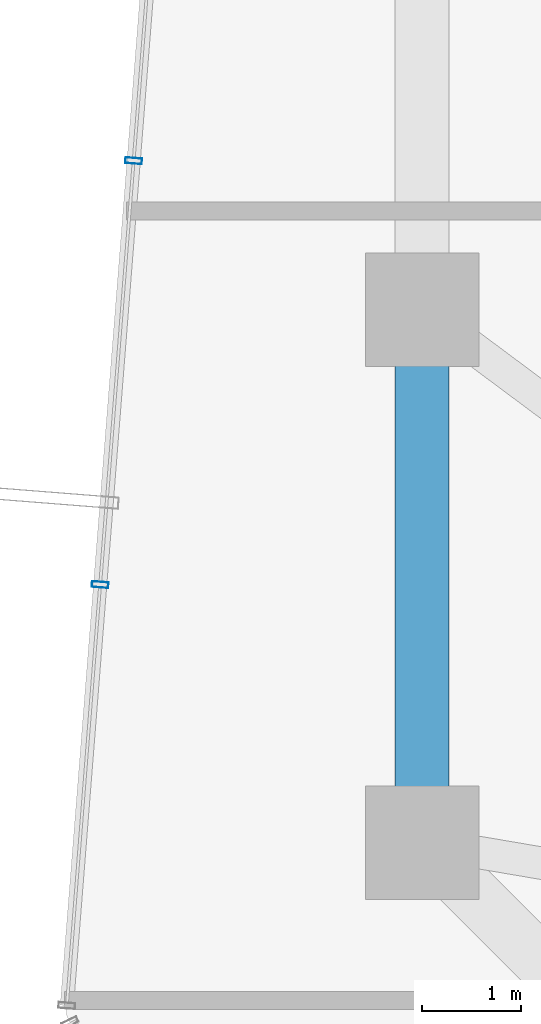
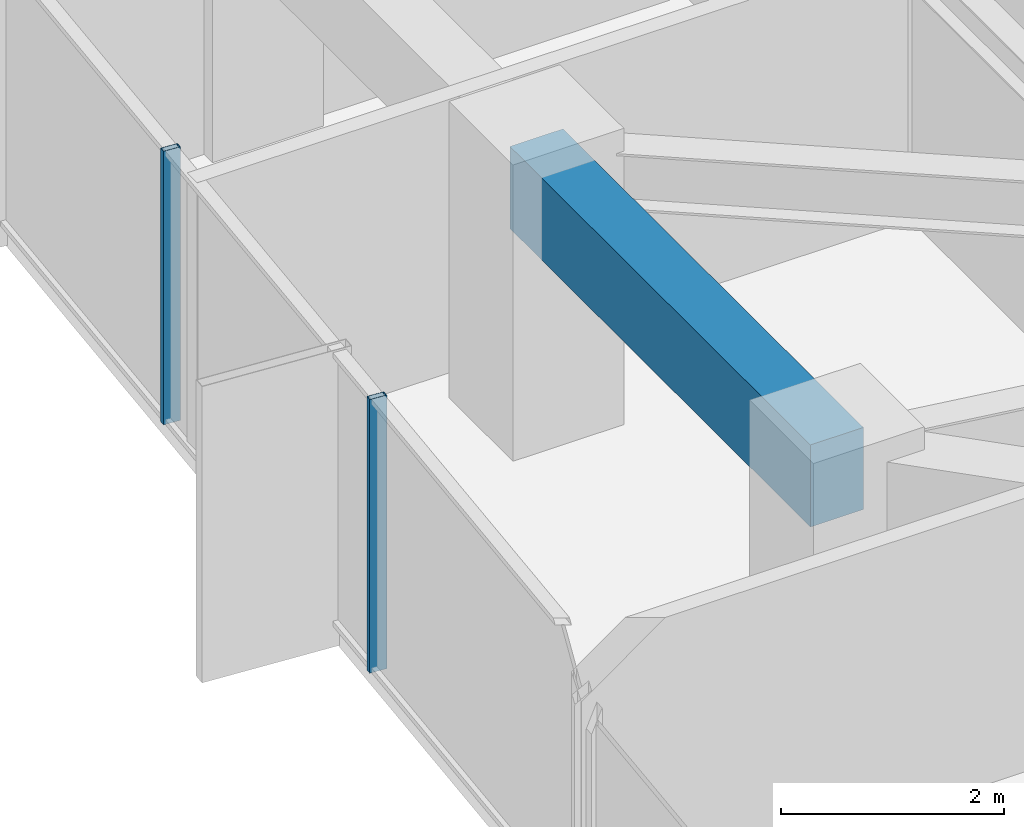
# One storey, part 8 of 30: 2 members, 1 beam, 1 element without a shape of its own.
"""IFC4 building model written with IfcOpenShell, lengths in metres."""

import ifcopenshell
import ifcopenshell.guid

model = None  # the IFC model being written
_history = None  # IfcOwnerHistory: only IFC2X3 demands one
_inside = {}  # id of a spatial element -> (the spatial element, [elements in it])
_under = {}  # id of a project, library or spatial element -> (it, [spatial elements below it])
_declared = {}  # id of a project -> (the project, [libraries it declares])
_typed = {}  # id of a type object -> (the type object, [elements of that type])
_made_of = {}  # id of a material, layer set ... -> (it, [elements and type objects made of it])


def new_model(schema):
    """Start an empty IFC model of exactly this schema.

    Asked for "IFC4X3", IfcOpenShell would pick the latest addendum, in which some entities
    have other attributes; the version numbers below select the first issue.
    IFC2X3 requires an IfcOwnerHistory on every rooted entity: one is made here for all.
    """
    global model, _history
    if schema == "IFC4X3":
        model = ifcopenshell.file(schema_version=(4, 3, 0, 0))
    else:
        model = ifcopenshell.file(schema=schema)
    _inside.clear()
    _under.clear()
    _declared.clear()
    _typed.clear()
    _made_of.clear()
    _history = None
    if model.schema == "IFC2X3":
        org = make("IfcOrganization", Name="unknown")
        user = make(
            "IfcPersonAndOrganization",
            ThePerson=make("IfcPerson", FamilyName="unknown"),
            TheOrganization=org,
        )
        app = make(
            "IfcApplication",
            ApplicationDeveloper=org,
            Version="unknown",
            ApplicationFullName="unknown",
            ApplicationIdentifier="unknown",
        )
        _history = make(
            "IfcOwnerHistory",
            OwningUser=user,
            OwningApplication=app,
            ChangeAction="ADDED",
            CreationDate=0,
        )
    return model


def make(cls, **values):
    """One entity of the class cls with the attributes given. An attribute that is None is left unset."""
    return model.create_entity(
        cls, **{name: value for name, value in values.items() if value is not None}
    )


def rooted(cls, **values):
    """An entity with a GlobalId (a new one), such as an element, a storey or a relation."""
    return make(cls, GlobalId=ifcopenshell.guid.new(), OwnerHistory=_history, **values)


def si_unit(unit_type, name, prefix=None):
    """IfcSIUnit, for example si_unit("LENGTHUNIT", "METRE", prefix="MILLI")."""
    return make("IfcSIUnit", UnitType=unit_type, Prefix=prefix, Name=name)


def assignment(units):
    """IfcUnitAssignment: the units of a project."""
    return None if units is None else make("IfcUnitAssignment", Units=units)


def point(xyz):
    """IfcCartesianPoint."""
    return None if xyz is None else make("IfcCartesianPoint", Coordinates=xyz)


def direction(xyz):
    """IfcDirection."""
    return None if xyz is None else make("IfcDirection", DirectionRatios=xyz)


def frame(location, z_axis=None, x_axis=None):
    """IfcAxis2Placement3D, a coordinate frame: its origin and axes. An axis left out is left unset."""
    return make(
        "IfcAxis2Placement3D",
        Location=point(location),
        Axis=direction(z_axis),
        RefDirection=direction(x_axis),
    )


def frame_2d(location, x_axis=None):
    """IfcAxis2Placement2D, a coordinate frame in the plane: its origin and x axis."""
    return make(
        "IfcAxis2Placement2D", Location=point(location), RefDirection=direction(x_axis)
    )


def origin():
    """The frame at (0, 0, 0) with its axes left unset."""
    return frame((0.0, 0.0, 0.0))


def origin_2d():
    """The frame at (0, 0) in the plane with its x axis left unset."""
    return frame_2d((0.0, 0.0))


def place(relative_to, where):
    """IfcLocalPlacement: puts the frame where relative to a parent placement (None: the world)."""
    return make(
        "IfcLocalPlacement", PlacementRelTo=relative_to, RelativePlacement=where
    )


def context(
    kind, dimensions, precision=None, world=None, true_north=None, identifier=None
):
    """IfcGeometricRepresentationContext, for example the 3D "Model" context."""
    return make(
        "IfcGeometricRepresentationContext",
        ContextIdentifier=identifier,
        ContextType=kind,
        CoordinateSpaceDimension=dimensions,
        Precision=precision,
        WorldCoordinateSystem=world,
        TrueNorth=true_north,
    )


def subcontext(parent, identifier, kind, view, scale=None):
    """IfcGeometricRepresentationSubContext, for example "Body" below "Model"."""
    return make(
        "IfcGeometricRepresentationSubContext",
        ContextIdentifier=identifier,
        ContextType=kind,
        ParentContext=parent,
        TargetScale=scale,
        TargetView=view,
    )


def project(units=None, contexts=None):
    """IfcProject with its units and contexts."""
    return rooted(
        "IfcProject",
        Name="project",
        RepresentationContexts=contexts,
        UnitsInContext=assignment(units),
    )


def spatial(cls, under=None, at=None, **own):
    """A site, building, storey or space (cls), placed at a placement, below another one or the project."""
    s = rooted(cls, ObjectPlacement=at, **own)
    if under is not None:
        _under.setdefault(under.id(), (under, []))[1].append(s)
    return s


def profile(cls, at=None, kind="AREA", **sizes):
    """A parametric profile (cls). Its sizes go by their IFC names, for example OverallWidth=200.0."""
    return make(cls, ProfileType=kind, Position=at, **sizes)


def rectangle(**sizes):
    """IfcRectangleProfileDef."""
    return profile("IfcRectangleProfileDef", **sizes)


def hollow_rectangle(**sizes):
    """IfcRectangleHollowProfileDef."""
    return profile("IfcRectangleHollowProfileDef", **sizes)


def extrude(swept, where, along, depth):
    """IfcExtrudedAreaSolid: the profile swept, set in the frame where, extruded along a direction by depth."""
    return make(
        "IfcExtrudedAreaSolid",
        SweptArea=swept,
        Position=where,
        ExtrudedDirection=direction(along),
        Depth=depth,
    )


def shape(context_of_items, identifier, shape_type, items):
    """IfcShapeRepresentation: the items that make up one representation, for example the "Body"."""
    return make(
        "IfcShapeRepresentation",
        ContextOfItems=context_of_items,
        RepresentationIdentifier=identifier,
        RepresentationType=shape_type,
        Items=items,
    )


def source(mapping_origin, context_of_items, identifier, shape_type, items):
    """IfcRepresentationMap: a shape defined once, which mapped items show again and again."""
    return make(
        "IfcRepresentationMap",
        MappingOrigin=mapping_origin,
        MappedRepresentation=shape(context_of_items, identifier, shape_type, items),
    )


def transform(
    local_origin,
    x_axis=None,
    y_axis=None,
    z_axis=None,
    scale=None,
    scale2=None,
    scale3=None,
    uniform=True,
):
    """IfcCartesianTransformationOperator3D, or its non-uniform kind. x_axis, y_axis, z_axis: its Axis1, 2, 3."""
    if uniform:
        return make(
            "IfcCartesianTransformationOperator3D",
            Axis1=direction(x_axis),
            Axis2=direction(y_axis),
            LocalOrigin=point(local_origin),
            Scale=scale,
            Axis3=direction(z_axis),
        )
    return make(
        "IfcCartesianTransformationOperator3DnonUniform",
        Axis1=direction(x_axis),
        Axis2=direction(y_axis),
        LocalOrigin=point(local_origin),
        Scale=scale,
        Axis3=direction(z_axis),
        Scale2=scale2,
        Scale3=scale3,
    )


def mapped(mapping_source, mapping_target):
    """IfcMappedItem: shows the shape of a source again, moved by a transform."""
    return make(
        "IfcMappedItem", MappingSource=mapping_source, MappingTarget=mapping_target
    )


def material(Name=None, Category=None):
    """IfcMaterial."""
    return make("IfcMaterial", Name=Name, Category=Category)


def layer(
    of_material, thickness, ventilated=None, Name=None, Category=None, Priority=None
):
    """IfcMaterialLayer: one layer of a wall or slab, of a material (None: an air gap)."""
    return make(
        "IfcMaterialLayer",
        Material=of_material,
        LayerThickness=thickness,
        IsVentilated=ventilated,
        Name=Name,
        Category=Category,
        Priority=Priority,
    )


def layer_set(layers, Name=None):
    """IfcMaterialLayerSet."""
    return make("IfcMaterialLayerSet", MaterialLayers=layers, LayerSetName=Name)


def material_profile(
    of_material, cross_section, Name=None, Category=None, Priority=None
):
    """IfcMaterialProfile: a cross section and its material."""
    return make(
        "IfcMaterialProfile",
        Name=Name,
        Material=of_material,
        Profile=cross_section,
        Priority=Priority,
        Category=Category,
    )


def profile_set(profiles, Name=None, composite=None):
    """IfcMaterialProfileSet."""
    return make(
        "IfcMaterialProfileSet",
        Name=Name,
        MaterialProfiles=profiles,
        CompositeProfile=composite,
    )


def made_of(thing, what):
    """Note that an element or type object is made of a material, layer set ...; save() writes the relation."""
    if what is not None:
        _made_of.setdefault(what.id(), (what, []))[1].append(thing)
    return thing


def type_object(cls, material=None, **own):
    """A type object (cls), such as IfcWallType, which elements share."""
    return made_of(rooted(cls, **own), material)


def element(
    cls,
    number,
    at=None,
    inside=None,
    cuts=None,
    type_object=None,
    material=None,
    context=None,
    identifier="Body",
    shape_type=None,
    held_by="IfcProductDefinitionShape",
    body=None,
    shapes=None,
    **own,
):
    """One element of the class cls, such as IfcWall. Its Tag is "e" and its number.

    at: its placement. inside: the storey or other place that contains it. cuts: it is an
    opening in that element (IfcRelVoidsElement). A single representation is given by context,
    identifier, shape_type and body (its items); several are given by shapes. held_by: the class
    of the entity that holds the representations. save() writes the other relations.
    """
    e = rooted(cls, Tag="e%d" % number, ObjectPlacement=at, **own)
    if body is not None:
        shapes = [shape(context, identifier, shape_type, body)]
    if shapes is not None:
        e.Representation = make(held_by, Representations=shapes)
    if inside is not None:
        _inside.setdefault(inside.id(), (inside, []))[1].append(e)
    if cuts is not None:
        rooted(
            "IfcRelVoidsElement", RelatingBuildingElement=cuts, RelatedOpeningElement=e
        )
    if type_object is not None:
        _typed.setdefault(type_object.id(), (type_object, []))[1].append(e)
    return made_of(e, material)


def aggregate(whole, parts):
    """IfcRelAggregates: a whole, such as a stair, and the parts it consists of."""
    return rooted("IfcRelAggregates", RelatingObject=whole, RelatedObjects=parts)


def save(model, path):
    """Write the relations noted so far, then the file.

    IfcRelAggregates (storeys below a building ...), IfcRelContainedInSpatialStructure (elements
    in a storey), IfcRelDefinesByType, IfcRelAssociatesMaterial and IfcRelDeclares: one each for
    every whole, place, type object, material and project.
    """
    for whole, parts in _under.values():
        aggregate(whole, parts)
    for where, things in _inside.values():
        rooted(
            "IfcRelContainedInSpatialStructure",
            RelatedElements=things,
            RelatingStructure=where,
        )
    for kind, things in _typed.values():
        rooted("IfcRelDefinesByType", RelatedObjects=things, RelatingType=kind)
    for what, things in _made_of.values():
        rooted("IfcRelAssociatesMaterial", RelatedObjects=things, RelatingMaterial=what)
    for by, libraries in _declared.values():
        rooted("IfcRelDeclares", RelatingContext=by, RelatedDefinitions=libraries)
    model.write(path)


model = new_model("IFC4")

# Units and contexts
model_context = context("Model", 3, precision=1e-05, world=origin(), true_north=direction((0.0, 1.0)))
body_context = subcontext(model_context, "Body", "Model", "MODEL_VIEW")
ifc_project = project(units=[si_unit("LENGTHUNIT", "METRE"), si_unit("AREAUNIT", "SQUARE_METRE"), si_unit("VOLUMEUNIT", "CUBIC_METRE"), si_unit("PLANEANGLEUNIT", "RADIAN"), si_unit("MASSUNIT", "GRAM", prefix="KILO")], contexts=[model_context])

# Site, building, storey
site_placement = place(None, origin())
site = spatial("IfcSite", under=ifc_project, at=site_placement, CompositionType="ELEMENT")
building_placement = place(site_placement, origin())
building = spatial("IfcBuilding", under=site, at=building_placement, Name="Veraguas Prism Commons", CompositionType="ELEMENT")
storey_placement = place(building_placement, frame((0.0, 0.0, 113.25)))
storey = spatial("IfcBuildingStorey", under=building, at=storey_placement, Name="L31", CompositionType="ELEMENT", Elevation=113.25)

# Beam
ifc_material_1 = material(Name="Concrete C50/60", Category="concrete")
ifc_material_profile_1 = material_profile(ifc_material_1, rectangle(XDim=0.550048828125, YDim=0.89990234375, at=origin_2d()), Name="RC550X900")
ifc_profile_set_1 = profile_set([ifc_material_profile_1], Name="Concrete C50/60")
beam_type = type_object("IfcBeamType", Name="Perimeter Spandrel Lower RC 550x900", PredefinedType="SPANDREL", material=ifc_profile_set_1)
beam_placement = place(storey_placement, frame((7.800048828125, 24.0, 2.550048828125), z_axis=(0.0, -1.0, 0.0), x_axis=(1.0, 0.0, 0.0)))
element("IfcBeam", 1, at=beam_placement, inside=storey, type_object=beam_type, Name="Perimeter Spandrel Beam L31-SP08", PredefinedType="SPANDREL", context=body_context, shape_type="SweptSolid", body=[
    extrude(rectangle(XDim=0.550048828125, YDim=0.89990234375, at=origin_2d()), origin(), (0.0, 0.0, 1.0), 5.39990234375),
])

# Curtain wall, members
ifc_material_2 = material(Name="Anodised aluminium EN AW-6063 T6", Category="aluminium")
ifc_layer = layer(ifc_material_2, 0.169921875, Name="Unitised Flush Curtain Wall Zone 2", Category="aluminium")
ifc_layer_set = layer_set([ifc_layer], Name="Anodised aluminium EN AW-6063 T6")
curtain_wall_type = type_object("IfcCurtainWallType", Name="Unitised Flush Curtain Wall Zone 2", PredefinedType="NOTDEFINED", material=ifc_layer_set)
curtain_wall_placement = place(storey_placement, origin())
curtain_wall = element("IfcCurtainWall", 2, at=curtain_wall_placement, inside=storey, type_object=curtain_wall_type, Name="Tower Facade Curtain Wall L31-F3", PredefinedType="NOTDEFINED")
ifc_material_profile_2 = material_profile(ifc_material_2, hollow_rectangle(XDim=0.06005859375, YDim=0.169921875, WallThickness=0.00390625, at=origin_2d()), Name="AL60X170X4")
ifc_profile_set_2 = profile_set([ifc_material_profile_2], Name="Anodised aluminium EN AW-6063 T6")
member_type = type_object("IfcMemberType", Name="Curtain Wall Mullion Lower AL 60x170x4", PredefinedType="MULLION", material=ifc_profile_set_2)
shared_shape = source(origin(), body_context, "Body", "SweptSolid", [
    extrude(hollow_rectangle(XDim=0.06005859375, YDim=0.169921875, WallThickness=0.00390625, at=origin_2d()), origin(), (0.0, 0.0, 1.0), 3.0),
])
member_1_placement = place(storey_placement, frame((4.877197265625, 25.51171875, 0.0), z_axis=(0.0, 0.0, 1.0), x_axis=(-0.078807080738, -0.996889885607, 0.0)))
member_1 = element("IfcMember", 3, at=member_1_placement, type_object=member_type, Name="CW-Z2 Mullion 3", PredefinedType="MULLION", context=body_context, shape_type="MappedRepresentation", body=[
    mapped(shared_shape, transform((0.0, 0.0, 0.0), scale=1.0)),
])
member_2_placement = place(storey_placement, frame((4.53759765625, 21.216552734375, 0.0), z_axis=(0.0, 0.0, 1.0), x_axis=(-0.078807080738, -0.996889885607, 0.0)))
member_2 = element("IfcMember", 4, at=member_2_placement, type_object=member_type, Name="CW-Z2 Mullion 4", PredefinedType="MULLION", context=body_context, shape_type="MappedRepresentation", body=[
    mapped(shared_shape, transform((0.0, 0.0, 0.0), scale=1.0)),
])
aggregate(curtain_wall, [member_1, member_2])

save(model, "model.ifc")
